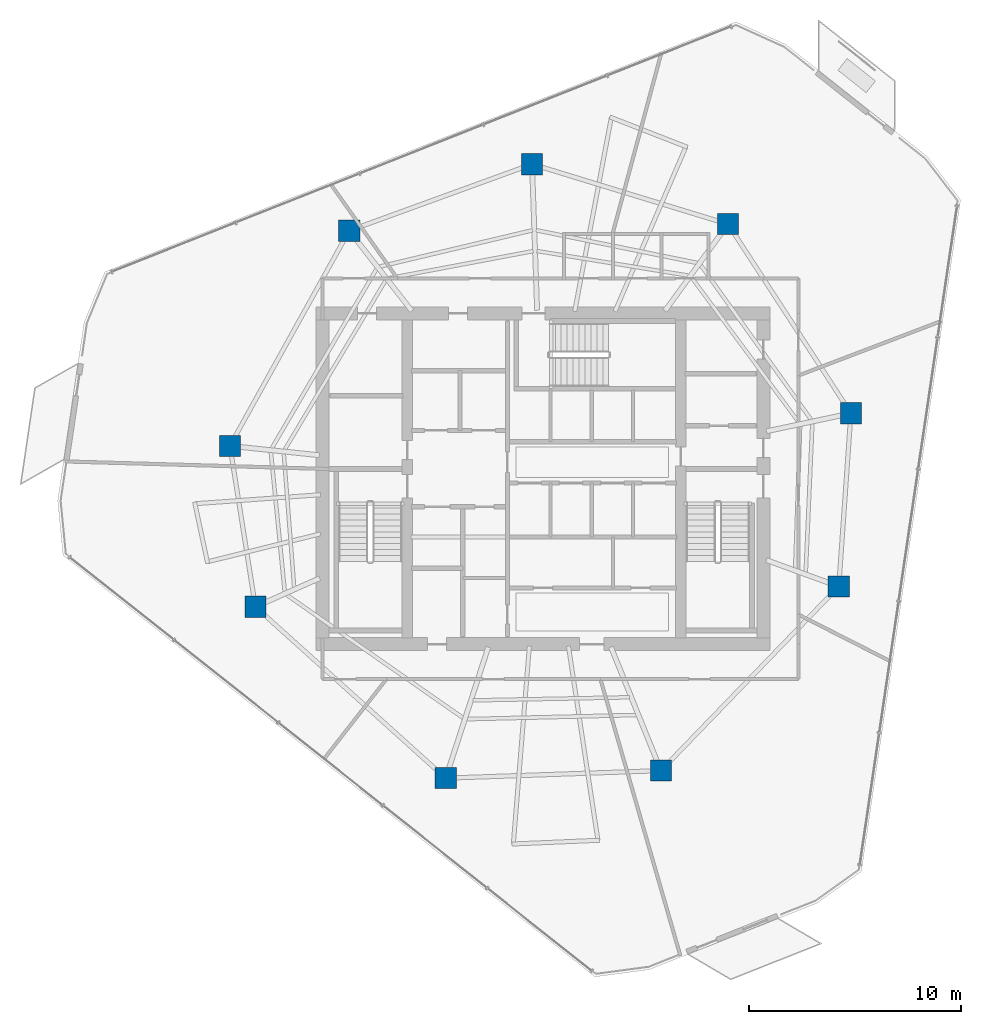
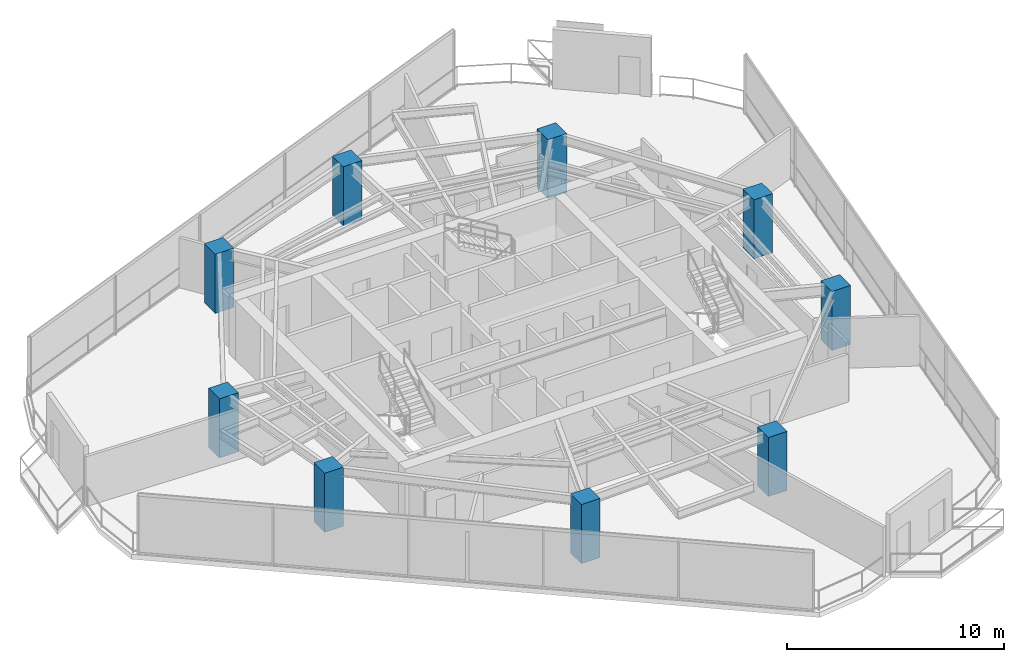
# One storey, part 1 of 20: 9 columns.
"""IFC4 building model written with IfcOpenShell, lengths in metres."""

from ifc_helpers import new_model, si_unit, direction, frame, origin, origin_2d, place, context, subcontext, project, spatial, rectangle, extrude, material, material_profile, profile_set, type_object, element, save


model = new_model("IFC4")

# Units and contexts
model_context = context("Model", 3, precision=1e-05, world=origin(), true_north=direction((0.0, 1.0)))
body_context = subcontext(model_context, "Body", "Model", "MODEL_VIEW")
ifc_project = project(units=[si_unit("LENGTHUNIT", "METRE"), si_unit("AREAUNIT", "SQUARE_METRE"), si_unit("VOLUMEUNIT", "CUBIC_METRE"), si_unit("PLANEANGLEUNIT", "RADIAN"), si_unit("MASSUNIT", "GRAM", prefix="KILO")], contexts=[model_context])

# Site, building, storey
site_placement = place(None, origin())
site = spatial("IfcSite", under=ifc_project, at=site_placement, CompositionType="ELEMENT")
building_placement = place(site_placement, origin())
building = spatial("IfcBuilding", under=site, at=building_placement, Name="Qarnah Convention Tower", CompositionType="ELEMENT")
storey_placement = place(building_placement, frame((0.0, 0.0, 147.300048828125)))
storey = spatial("IfcBuildingStorey", under=building, at=storey_placement, Name="L39", CompositionType="ELEMENT", Elevation=147.300048828125)

# Columns
ifc_material = material(Name="Concrete C60/75", Category="concrete")
ifc_material_profile = material_profile(ifc_material, rectangle(XDim=1.0, YDim=1.0, at=origin_2d()), Name="RC-COL-1000X1000")
ifc_profile_set = profile_set([ifc_material_profile], Name="Concrete C60/75")
column_type = type_object("IfcColumnType", Name="COL-Z3-1000", PredefinedType="COLUMN", material=ifc_profile_set)
for number, where, z_axis, x_axis, name in (
    (1, (51.72509765625, 29.487060546875, 0.0), (0.0, 0.0, 1.0), (1.0, 0.0, 0.0), "L39 plumb column PC-Z3-01"),
    (2, (45.928955078125, 38.4140625, 0.0), (0.0, 0.0, 1.0), (1.0, 0.0, 0.0), "L39 plumb column PC-Z3-02"),
    (3, (36.681884765625, 41.240966796875, 0.0), (0.0, 0.0, 1.0), (1.0, 0.0, 0.0), "L39 plumb column PC-Z3-03"),
    (4, (28.056884765625, 38.10205078125, 0.0), (0.0, 0.0, 1.0), (1.0, 0.0, 0.0), "L39 plumb column PC-Z3-04"),
    (5, (22.430908203125, 27.951904296875, 0.0), (0.0, 0.0, 1.0), (1.0, 0.0, 0.0), "L39 plumb column PC-Z3-05"),
    (6, (23.634033203125, 20.360107421875, 0.0), (0.0, 0.0, 1.0), (1.0, 0.0, 0.0), "L39 plumb column PC-Z3-06"),
    (7, (32.611083984375, 12.277099609375, 0.0), (0.0, 0.0, 1.0), (1.0, 0.0, 0.0), "L39 plumb column PC-Z3-07"),
    (8, (42.762939453125, 12.631103515625, 0.0), (0.0, 0.0, 1.0), (1.0, 0.0, 0.0), "L39 plumb column PC-Z3-08"),
    (9, (51.154052734375, 21.321044921875, 0.0), (0.0, 0.0, 1.0), (1.0, 0.0, 0.0), "L39 plumb column PC-Z3-09"),
):
    element("IfcColumn", number, at=place(storey_placement, frame(where, z_axis=z_axis, x_axis=x_axis)), inside=storey, type_object=column_type, Name=name, PredefinedType="COLUMN", context=body_context, shape_type="SweptSolid", body=[
        extrude(rectangle(XDim=1.0, YDim=1.0, at=origin_2d()), origin(), (0.0, 0.0, 1.0), 3.320068359375),
    ])

save(model, "model.ifc")
